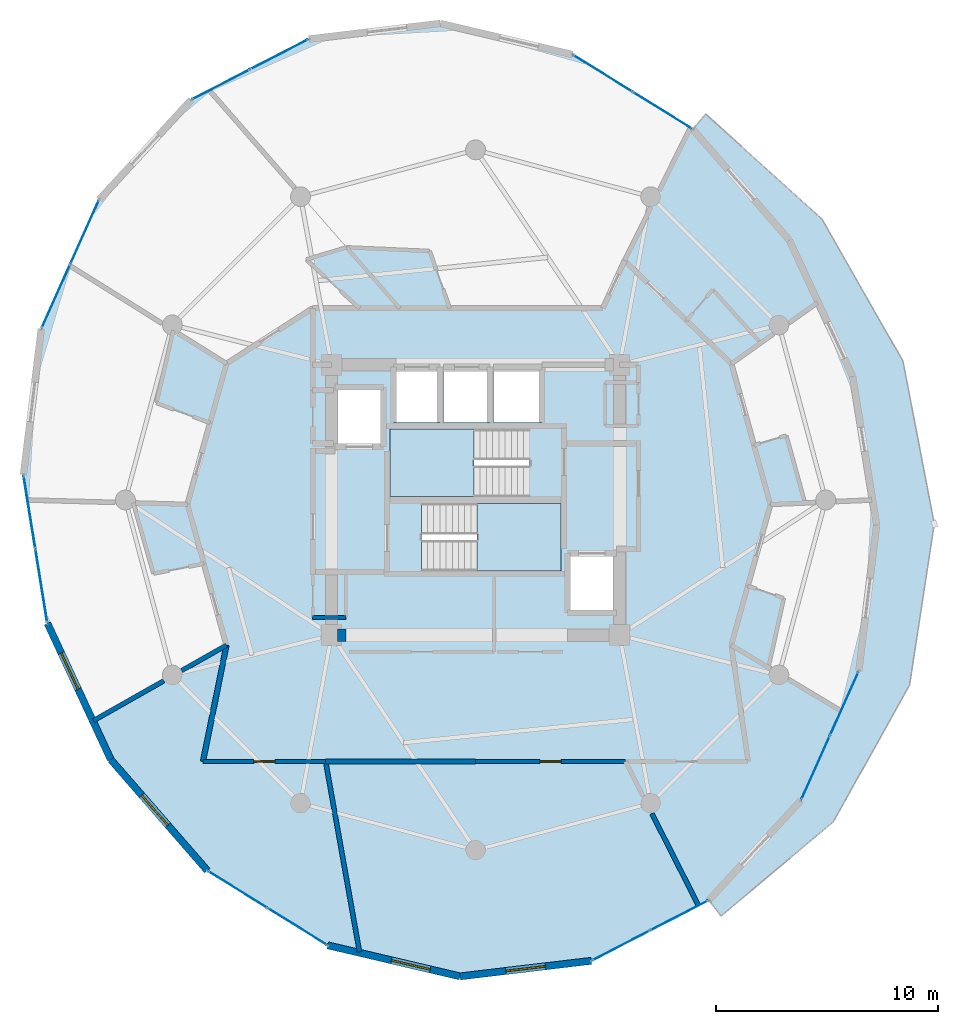
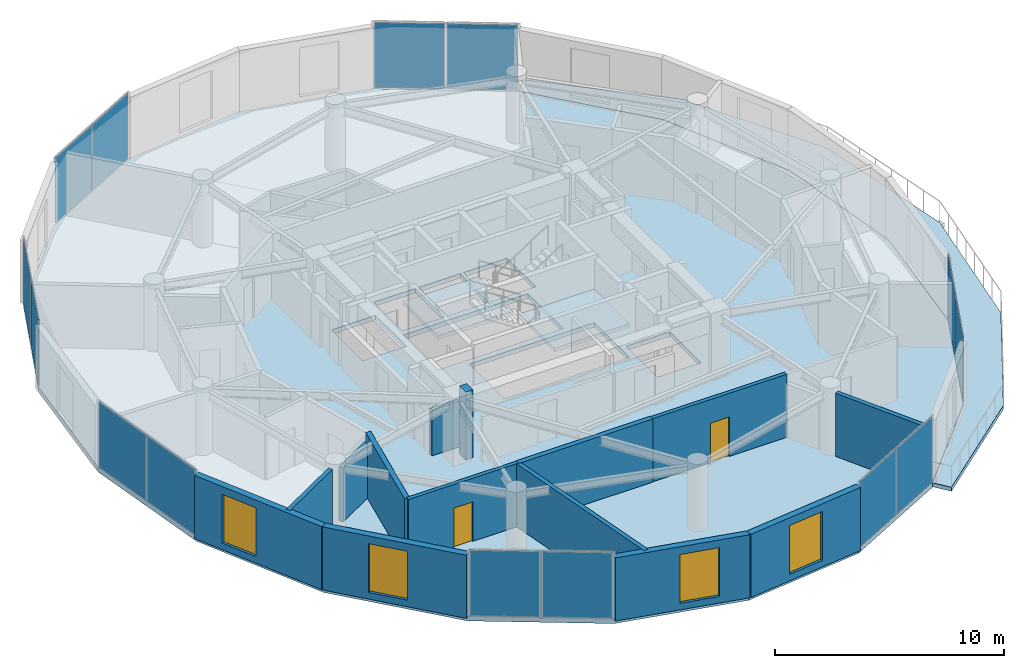
# One storey, part 16 of 22: 14 plates, 14 walls, 4 slabs, 4 windows, 2 doors, 6 openings, 9 elements without a shape of their own.
"""IFC4 building model written with IfcOpenShell, lengths in metres."""

from ifc_helpers import new_model, si_unit, direction, frame, frame_2d, origin, origin_2d, place, context, subcontext, project, spatial, polyline, rectangle, outline, extrude, source, transform, mapped, material, layer, layer_set, type_object, element, fill, aggregate, save


model = new_model("IFC4")

# Units and contexts
model_context = context("Model", 3, precision=1e-05, world=origin(), true_north=direction((0.0, 1.0)))
body_context = subcontext(model_context, "Body", "Model", "MODEL_VIEW")
ifc_project = project(units=[si_unit("LENGTHUNIT", "METRE"), si_unit("AREAUNIT", "SQUARE_METRE"), si_unit("VOLUMEUNIT", "CUBIC_METRE"), si_unit("PLANEANGLEUNIT", "RADIAN"), si_unit("MASSUNIT", "GRAM", prefix="KILO")], contexts=[model_context])

# Site, building, storey
site_placement = place(None, origin())
site = spatial("IfcSite", under=ifc_project, at=site_placement, CompositionType="ELEMENT")
building_placement = place(site_placement, origin())
building = spatial("IfcBuilding", under=site, at=building_placement, Name="Solvirekh Grand Hotel", CompositionType="ELEMENT")
storey_placement = place(building_placement, frame((0.0, 0.0, 227.199951171875)))
storey = spatial("IfcBuildingStorey", under=building, at=storey_placement, Name="L59", CompositionType="ELEMENT", Elevation=227.199951171875)

# Slab
ifc_material_1 = material(Name="Concrete C50/60", Category="concrete")
ifc_layer_1 = layer(ifc_material_1, 0.215087890625)
ifc_layer_set_1 = layer_set([ifc_layer_1], Name="Concrete C50/60")
slab_type_1 = type_object("IfcSlabType", Name="ExtCrescentBalc_215", PredefinedType="FLOOR", material=ifc_layer_set_1)
slab_1_placement = place(storey_placement, frame((0.0, 0.0, -0.21484375)))
element("IfcSlab", 1, at=slab_1_placement, inside=storey, type_object=slab_type_1, Name="L59 sweeping crescent balcony slab", PredefinedType="FLOOR", context=body_context, shape_type="SweptSolid", body=[
    extrude(outline(polyline([(11.072021484375, -18.77099609375), (16.14794921875, -14.510009765625), (19.580078125, -8.346923828125), (20.696044921875, -1.076904296875), (19.283935546875, 6.262939453125), (15.626953125, 12.672119140625), (10.385009765625, 17.410888671875), (9.800048828125, 16.72802734375), (14.156982421875, 11.720947265625), (17.01611328125, 5.568115234375), (18.095947265625, -1.131103515625), (17.29296875, -7.718994140625), (14.68408203125, -13.551025390625), (10.52490234375, -18.056884765625), (11.072021484375, -18.77099609375)])), origin(), (0.0, 0.0, 1.0), 0.21484375),
])

# Stair, slab
ifc_material_2 = material(Name="Concrete C40/50", Category="concrete")
stair_type = type_object("IfcStairType", Name="Stair_Core_1450", PredefinedType="HALF_TURN_STAIR", material=ifc_material_2)
stair_1_placement = place(storey_placement, origin())
stair_1 = element("IfcStair", 2, at=stair_1_placement, inside=storey, type_object=stair_type, Name="L59 Enclosed exit stair ST-1", PredefinedType="HALF_TURN_STAIR")
ifc_layer_2 = layer(ifc_material_2, 0.199951171875)
ifc_layer_set_2 = layer_set([ifc_layer_2], Name="Concrete C40/50")
slab_type_2 = type_object("IfcSlabType", Name="Landing_Stair_200", PredefinedType="LANDING", material=ifc_layer_set_2)
slab_2_placement = place(storey_placement, frame((0.0, 0.0, 1.60009765625)))
slab_2 = element("IfcSlab", 3, at=slab_2_placement, type_object=slab_type_2, Name="ST-1 landing 1", PredefinedType="LANDING", context=body_context, shape_type="SweptSolid", body=[
    extrude(outline(polyline([(0.070068359375, -3.199951171875), (3.85009765625, -3.199951171875), (3.85009765625, -0.14990234375), (0.070068359375, -0.14990234375), (0.070068359375, -3.199951171875)])), origin(), (0.0, 0.0, 1.0), 0.199951171875),
])
aggregate(stair_1, [slab_2])

stair_2_placement = place(storey_placement, origin())
stair_2 = element("IfcStair", 4, at=stair_2_placement, inside=storey, type_object=stair_type, Name="L59 Enclosed exit stair ST-2", PredefinedType="HALF_TURN_STAIR")
slab_3_placement = place(storey_placement, frame((0.0, 0.0, 1.60009765625)))
slab_3 = element("IfcSlab", 5, at=slab_3_placement, type_object=slab_type_2, Name="ST-2 landing 1", PredefinedType="LANDING", context=body_context, shape_type="SweptSolid", body=[
    extrude(outline(polyline([(-0.070068359375, 3.199951171875), (-3.85009765625, 3.199951171875), (-3.85009765625, 0.14990234375), (-0.070068359375, 0.14990234375), (-0.070068359375, 3.199951171875)])), origin(), (0.0, 0.0, 1.0), 0.199951171875),
])
aggregate(stair_2, [slab_3])

# Slab
ifc_layer_3 = layer(ifc_material_2, 0.239990234375)
ifc_layer_set_3 = layer_set([ifc_layer_3], Name="Concrete C40/50")
slab_type_3 = type_object("IfcSlabType", Name="Slab_GuestZ3_240", PredefinedType="FLOOR", material=ifc_layer_set_3)
slab_4_placement = place(storey_placement, frame((0.0, 0.0, -0.239990234375)))
element("IfcSlab", 6, at=slab_4_placement, inside=storey, type_object=slab_type_3, Name="L59 structural floor slab", PredefinedType="FLOOR", context=body_context, shape_type="SweptSolid", body=[
    extrude(outline(polyline([(5.22412109375, -20.794921875), (10.52490234375, -18.056884765625), (14.68408203125, -13.551025390625), (17.29296875, -7.718994140625), (18.095947265625, -1.131103515625), (17.01611328125, 5.568115234375), (14.156982421875, 11.720947265625), (9.800048828125, 16.72802734375), (4.37109375, 20.095947265625), (-1.597900390625, 21.498046875), (-7.52392578125, 20.794921875), (-12.824951171875, 18.056884765625), (-16.98388671875, 13.551025390625), (-19.593017578125, 7.718994140625), (-20.39599609375, 1.131103515625), (-19.31591796875, -5.568115234375), (-16.45703125, -11.720947265625), (-12.10009765625, -16.72802734375), (-6.6708984375, -20.095947265625), (-0.701904296875, -21.498046875), (5.22412109375, -20.794921875)]), holes=[polyline([(-2.444091796875, -0.14990234375), (3.85009765625, -0.14990234375), (3.85009765625, -3.199951171875), (-2.444091796875, -3.199951171875), (-2.444091796875, -0.14990234375)]), polyline([(2.444091796875, 0.14990234375), (-3.85009765625, 0.14990234375), (-3.85009765625, 3.199951171875), (2.444091796875, 3.199951171875), (2.444091796875, 0.14990234375)]), polyline([(-3.699951171875, 6.0), (-1.60009765625, 6.0), (-1.60009765625, 3.5), (-3.699951171875, 3.5), (-3.699951171875, 6.0)]), polyline([(-1.449951171875, 6.0), (0.64990234375, 6.0), (0.64990234375, 3.5), (-1.449951171875, 3.5), (-1.449951171875, 6.0)]), polyline([(0.800048828125, 6.0), (3.0, 6.0), (3.0, 3.5), (0.800048828125, 3.5), (0.800048828125, 6.0)]), polyline([(-6.35009765625, 5.10009765625), (-4.14990234375, 5.10009765625), (-4.14990234375, 2.39990234375), (-6.35009765625, 2.39990234375), (-6.35009765625, 5.10009765625)]), polyline([(4.14990234375, -2.39990234375), (6.35009765625, -2.39990234375), (6.35009765625, -5.10009765625), (4.14990234375, -5.10009765625), (4.14990234375, -2.39990234375)])]), origin(), (0.0, 0.0, 1.0), 0.239990234375),
])

# Curtain wall, plates
ifc_material_3 = material(Name="Anodized Bronze Aluminium 6063-T6", Category="aluminium")
ifc_layer_4 = layer(ifc_material_3, 0.159912109375)
ifc_layer_set_4 = layer_set([ifc_layer_4], Name="Anodized Bronze Aluminium 6063-T6")
curtain_wall_type = type_object("IfcCurtainWallType", Name="CW_Sys4_HighZoneFlushBronzeCW", PredefinedType="NOTDEFINED", material=ifc_layer_set_4)
curtain_wall_1_placement = place(storey_placement, origin())
curtain_wall_1 = element("IfcCurtainWall", 7, at=curtain_wall_1_placement, inside=storey, type_object=curtain_wall_type, Name="L59 unitised bronze-glass curtain wall CW-L59-C03", PredefinedType="NOTDEFINED")
ifc_material_4 = material(Name="Low-E Tinted Bronze Laminated Glass", Category="aluminium")
ifc_layer_5 = layer(ifc_material_4, 0.033935546875)
ifc_layer_set_5 = layer_set([ifc_layer_5], Name="Low-E Tinted Bronze Laminated Glass")
plate_type = type_object("IfcPlateType", Name="CWPanel_High_34", PredefinedType="CURTAIN_PANEL", material=ifc_layer_set_5)
shared_shape_1 = source(origin(), body_context, "Body", "SweptSolid", [
    extrude(rectangle(XDim=3.1044921875, YDim=0.033935546875, at=origin_2d()), origin(), (0.0, 0.0, 1.0), 3.489990234375),
])
plate_1_placement = place(storey_placement, frame((15.34228515625, -12.079345703125, 0.05517578125), z_axis=(0.0, 0.0, 1.0), x_axis=(0.408359195958, 0.912821322646, 0.0)))
plate_1 = element("IfcPlate", 8, at=plate_1_placement, type_object=plate_type, Name="U04 panel 1.1", PredefinedType="CURTAIN_PANEL", context=body_context, shape_type="MappedRepresentation", body=[
    mapped(shared_shape_1, transform((0.0, 0.0, 0.0), x_axis=(1.0, 0.0, 0.0), y_axis=(0.0, 1.0, 0.0), z_axis=(0.0, 0.0, 1.0), scale=1.0)),
])
plate_2_placement = place(storey_placement, frame((16.634521484375, -9.190673828125, 0.05517578125), z_axis=(0.0, 0.0, 1.0), x_axis=(0.408359195958, 0.912821322646, 0.0)))
plate_2 = element("IfcPlate", 9, at=plate_2_placement, type_object=plate_type, Name="U04 panel 2.1", PredefinedType="CURTAIN_PANEL", context=body_context, shape_type="MappedRepresentation", body=[
    mapped(shared_shape_1, transform((0.0, 0.0, 0.0), x_axis=(1.0, 0.0, 0.0), y_axis=(0.0, 1.0, 0.0), z_axis=(0.0, 0.0, 1.0), scale=1.0)),
])
aggregate(curtain_wall_1, [plate_1, plate_2])

curtain_wall_2_placement = place(storey_placement, origin())
curtain_wall_2 = element("IfcCurtainWall", 10, at=curtain_wall_2_placement, inside=storey, type_object=curtain_wall_type, Name="L59 unitised bronze-glass curtain wall CW-L59-C08", PredefinedType="NOTDEFINED")
plate_3_placement = place(storey_placement, frame((8.429931640625, 17.577880859375, 0.05517578125), z_axis=(0.0, 0.0, 1.0), x_axis=(-0.849761062593, 0.527168034407, 0.0)))
plate_3 = element("IfcPlate", 11, at=plate_3_placement, type_object=plate_type, Name="U04 panel 1.1", PredefinedType="CURTAIN_PANEL", context=body_context, shape_type="MappedRepresentation", body=[
    mapped(shared_shape_1, transform((0.0, 0.0, 0.0), x_axis=(1.0, 0.0, 0.0), y_axis=(0.0, 1.0, 0.0), z_axis=(0.0, 0.0, 1.0), scale=1.0)),
])
plate_4_placement = place(storey_placement, frame((5.740966796875, 19.24609375, 0.05517578125), z_axis=(0.0, 0.0, 1.0), x_axis=(-0.849761062593, 0.527168034407, 0.0)))
plate_4 = element("IfcPlate", 12, at=plate_4_placement, type_object=plate_type, Name="U04 panel 2.1", PredefinedType="CURTAIN_PANEL", context=body_context, shape_type="MappedRepresentation", body=[
    mapped(shared_shape_1, transform((0.0, 0.0, 0.0), x_axis=(1.0, 0.0, 0.0), y_axis=(0.0, 1.0, 0.0), z_axis=(0.0, 0.0, 1.0), scale=1.0)),
])
aggregate(curtain_wall_2, [plate_3, plate_4])

curtain_wall_3_placement = place(storey_placement, origin())
curtain_wall_3 = element("IfcCurtainWall", 13, at=curtain_wall_3_placement, inside=storey, type_object=curtain_wall_type, Name="L59 unitised bronze-glass curtain wall CW-L59-C13", PredefinedType="NOTDEFINED")
plate_5_placement = place(storey_placement, frame((-17.642333984375, 12.079345703125, 0.05517578125), z_axis=(0.0, 0.0, 1.0), x_axis=(-0.408359195958, -0.912821322646, 0.0)))
plate_5 = element("IfcPlate", 14, at=plate_5_placement, type_object=plate_type, Name="U04 panel 1.1", PredefinedType="CURTAIN_PANEL", context=body_context, shape_type="MappedRepresentation", body=[
    mapped(shared_shape_1, transform((0.0, 0.0, 0.0), x_axis=(1.0, 0.0, 0.0), y_axis=(0.0, 1.0, 0.0), z_axis=(0.0, 0.0, 1.0), scale=1.0)),
])
plate_6_placement = place(storey_placement, frame((-18.9345703125, 9.190673828125, 0.05517578125), z_axis=(0.0, 0.0, 1.0), x_axis=(-0.408359195958, -0.912821322646, 0.0)))
plate_6 = element("IfcPlate", 15, at=plate_6_placement, type_object=plate_type, Name="U04 panel 2.1", PredefinedType="CURTAIN_PANEL", context=body_context, shape_type="MappedRepresentation", body=[
    mapped(shared_shape_1, transform((0.0, 0.0, 0.0), x_axis=(1.0, 0.0, 0.0), y_axis=(0.0, 1.0, 0.0), z_axis=(0.0, 0.0, 1.0), scale=1.0)),
])
aggregate(curtain_wall_3, [plate_5, plate_6])

curtain_wall_4_placement = place(storey_placement, origin())
curtain_wall_4 = element("IfcCurtainWall", 16, at=curtain_wall_4_placement, inside=storey, type_object=curtain_wall_type, Name="L59 unitised bronze-glass curtain wall CW-L59-C18", PredefinedType="NOTDEFINED")
plate_7_placement = place(storey_placement, frame((-10.72998046875, -17.577880859375, 0.05517578125), z_axis=(0.0, 0.0, 1.0), x_axis=(0.849761062593, -0.527168034407, 0.0)))
plate_7 = element("IfcPlate", 17, at=plate_7_placement, type_object=plate_type, Name="U04 panel 1.1", PredefinedType="CURTAIN_PANEL", context=body_context, shape_type="MappedRepresentation", body=[
    mapped(shared_shape_1, transform((0.0, 0.0, 0.0), x_axis=(1.0, 0.0, 0.0), y_axis=(0.0, 1.0, 0.0), z_axis=(0.0, 0.0, 1.0), scale=1.0)),
])
plate_8_placement = place(storey_placement, frame((-8.041015625, -19.24609375, 0.05517578125), z_axis=(0.0, 0.0, 1.0), x_axis=(0.849761062593, -0.527168034407, 0.0)))
plate_8 = element("IfcPlate", 18, at=plate_8_placement, type_object=plate_type, Name="U04 panel 2.1", PredefinedType="CURTAIN_PANEL", context=body_context, shape_type="MappedRepresentation", body=[
    mapped(shared_shape_1, transform((0.0, 0.0, 0.0), x_axis=(1.0, 0.0, 0.0), y_axis=(0.0, 1.0, 0.0), z_axis=(0.0, 0.0, 1.0), scale=1.0)),
])
aggregate(curtain_wall_4, [plate_7, plate_8])

curtain_wall_5_placement = place(storey_placement, origin())
curtain_wall_5 = element("IfcCurtainWall", 19, at=curtain_wall_5_placement, inside=storey, type_object=curtain_wall_type, Name="L59 unitised bronze-glass curtain wall CW-L59-C15", PredefinedType="NOTDEFINED")
shared_shape_2 = source(origin(), body_context, "Body", "SweptSolid", [
    extrude(rectangle(XDim=3.302734375, YDim=0.033935546875, at=origin_2d()), origin(), (0.0, 0.0, 1.0), 3.489990234375),
])
plate_9_placement = place(storey_placement, frame((-20.12353515625, -0.55859375, 0.05517578125), z_axis=(0.0, 0.0, 1.0), x_axis=(0.159162936916, -0.987252328188, 0.0)))
plate_9 = element("IfcPlate", 20, at=plate_9_placement, type_object=plate_type, Name="U04 panel 1.1", PredefinedType="CURTAIN_PANEL", context=body_context, shape_type="MappedRepresentation", body=[
    mapped(shared_shape_2, transform((0.0, 0.0, 0.0), x_axis=(1.0, 0.0, 0.0), y_axis=(0.0, 1.0, 0.0), z_axis=(0.0, 0.0, 1.0), scale=1.0)),
])
plate_10_placement = place(storey_placement, frame((-19.58837890625, -3.87841796875, 0.05517578125), z_axis=(0.0, 0.0, 1.0), x_axis=(0.159162936916, -0.987252328188, 0.0)))
plate_10 = element("IfcPlate", 21, at=plate_10_placement, type_object=plate_type, Name="U04 panel 2.1", PredefinedType="CURTAIN_PANEL", context=body_context, shape_type="MappedRepresentation", body=[
    mapped(shared_shape_2, transform((0.0, 0.0, 0.0), x_axis=(1.0, 0.0, 0.0), y_axis=(0.0, 1.0, 0.0), z_axis=(0.0, 0.0, 1.0), scale=1.0)),
])
aggregate(curtain_wall_5, [plate_9, plate_10])

curtain_wall_6_placement = place(storey_placement, origin())
curtain_wall_6 = element("IfcCurtainWall", 22, at=curtain_wall_6_placement, inside=storey, type_object=curtain_wall_type, Name="L59 unitised bronze-glass curtain wall CW-L59-C01", PredefinedType="NOTDEFINED")
shared_shape_3 = source(origin(), body_context, "Body", "SweptSolid", [
    extrude(rectangle(XDim=2.89306640625, YDim=0.033935546875, at=origin_2d()), origin(), (0.0, 0.0, 1.0), 3.489990234375),
])
plate_11_placement = place(storey_placement, frame((6.5625, -20.103515625, 0.05517578125), z_axis=(0.0, 0.0, 1.0), x_axis=(0.888483998065, 0.45890759983, 0.0)))
plate_11 = element("IfcPlate", 23, at=plate_11_placement, type_object=plate_type, Name="U04 panel 1.1", PredefinedType="CURTAIN_PANEL", context=body_context, shape_type="MappedRepresentation", body=[
    mapped(shared_shape_3, transform((0.0, 0.0, 0.0), x_axis=(1.0, 0.0, 0.0), y_axis=(0.0, 1.0, 0.0), z_axis=(0.0, 0.0, 1.0), scale=1.0)),
])
plate_12_placement = place(storey_placement, frame((9.1865234375, -18.748291015625, 0.05517578125), z_axis=(0.0, 0.0, 1.0), x_axis=(0.888483998065, 0.45890759983, 0.0)))
plate_12 = element("IfcPlate", 24, at=plate_12_placement, type_object=plate_type, Name="U04 panel 2.1", PredefinedType="CURTAIN_PANEL", context=body_context, shape_type="MappedRepresentation", body=[
    mapped(shared_shape_3, transform((0.0, 0.0, 0.0), x_axis=(1.0, 0.0, 0.0), y_axis=(0.0, 1.0, 0.0), z_axis=(0.0, 0.0, 1.0), scale=1.0)),
])
aggregate(curtain_wall_6, [plate_11, plate_12])

curtain_wall_7_placement = place(storey_placement, origin())
curtain_wall_7 = element("IfcCurtainWall", 25, at=curtain_wall_7_placement, inside=storey, type_object=curtain_wall_type, Name="L59 unitised bronze-glass curtain wall CW-L59-C11", PredefinedType="NOTDEFINED")
plate_13_placement = place(storey_placement, frame((-8.862548828125, 20.103515625, 0.05517578125), z_axis=(0.0, 0.0, 1.0), x_axis=(-0.888483998065, -0.45890759983, 0.0)))
plate_13 = element("IfcPlate", 26, at=plate_13_placement, type_object=plate_type, Name="U04 panel 1.1", PredefinedType="CURTAIN_PANEL", context=body_context, shape_type="MappedRepresentation", body=[
    mapped(shared_shape_3, transform((0.0, 0.0, 0.0), x_axis=(1.0, 0.0, 0.0), y_axis=(0.0, 1.0, 0.0), z_axis=(0.0, 0.0, 1.0), scale=1.0)),
])
plate_14_placement = place(storey_placement, frame((-11.486328125, 18.748291015625, 0.05517578125), z_axis=(0.0, 0.0, 1.0), x_axis=(-0.888483998065, -0.45890759983, 0.0)))
plate_14 = element("IfcPlate", 27, at=plate_14_placement, type_object=plate_type, Name="U04 panel 2.1", PredefinedType="CURTAIN_PANEL", context=body_context, shape_type="MappedRepresentation", body=[
    mapped(shared_shape_3, transform((0.0, 0.0, 0.0), x_axis=(1.0, 0.0, 0.0), y_axis=(0.0, 1.0, 0.0), z_axis=(0.0, 0.0, 1.0), scale=1.0)),
])
aggregate(curtain_wall_7, [plate_13, plate_14])

# Wall
ifc_layer_6 = layer(ifc_material_1, 0.550048828125)
ifc_layer_set_6 = layer_set([ifc_layer_6], Name="Concrete C50/60")
wall_type_1 = type_object("IfcWallType", Name="CoreWall_RC550", PredefinedType="SHEAR", material=ifc_layer_set_6)
wall_1_placement = place(storey_placement, frame((-6.22509765625, -6.10009765625, 0.0), z_axis=(0.0, 0.0, 1.0), x_axis=(1.0, 0.0, 0.0)))
element("IfcWall", 28, at=wall_1_placement, inside=storey, type_object=wall_type_1, Name="L59 core corner shear wall SW-S", PredefinedType="SHEAR", context=body_context, shape_type="SweptSolid", body=[
    extrude(rectangle(XDim=0.375, YDim=0.550048828125, at=frame_2d((0.1875, 0.0))), origin(), (0.0, 0.0, 1.0), 3.60009765625),
])

# Wall, opening, window
ifc_material_5 = material(Name="Precast concrete C45/55", Category="concrete")
ifc_layer_7 = layer(ifc_material_5, 0.320068359375)
ifc_layer_set_7 = layer_set([ifc_layer_7], Name="Precast concrete C45/55")
wall_type_2 = type_object("IfcWallType", Name="ExtLobbyWall_RC320", PredefinedType="SOLIDWALL", material=ifc_layer_set_7)
wall_2_placement = place(storey_placement, frame((-16.45703125, -11.720947265625, 0.0), z_axis=(0.0, 0.0, 1.0), x_axis=(-0.421379832148, 0.906884246781, 0.0)))
wall_2 = element("IfcWall", 29, at=wall_2_placement, inside=storey, type_object=wall_type_2, Name="L59 exterior structural wall chord 16", PredefinedType="SOLIDWALL", context=body_context, shape_type="SweptSolid", body=[
    extrude(rectangle(XDim=6.78466796875, YDim=0.320068359375, at=frame_2d((3.392333984375, 0.0))), origin(), (0.0, 0.0, 1.0), 3.360107421875),
])
opening_1_placement = place(wall_2_placement, frame((3.509033203125, 0.0, 0.35009765625)))
opening_1 = element("IfcOpeningElement", 30, at=opening_1_placement, cuts=wall_2, Name="Opening W02", PredefinedType="OPENING", context=body_context, shape_type="SweptSolid", body=[
    extrude(rectangle(XDim=1.800048828125, YDim=2.60009765625, at=frame_2d((0.89990234375, 1.300048828125))), frame((0.0, 0.169921875, 0.0), z_axis=(0.0, -1.0, 0.0), x_axis=(1.0, 0.0, 0.0)), (0.0, 0.0, 1.0), 0.340087890625),
])
window_type = type_object("IfcWindowType", Name="Win_LobbyExt_1800X2600", PartitioningType="SINGLE_PANEL", PredefinedType="WINDOW", material=ifc_material_4)
window_1_placement = place(opening_1_placement, origin())
window_1 = element("IfcWindow", 31, at=window_1_placement, inside=storey, type_object=window_type, Name="L59 panoramic bronze-framed window 16", OverallHeight=2.60009765625, OverallWidth=1.800048828125, PartitioningType="SINGLE_PANEL", PredefinedType="WINDOW", context=body_context, shape_type="SweptSolid", body=[
    extrude(rectangle(XDim=1.800048828125, YDim=2.60009765625, at=frame_2d((0.89990234375, 1.300048828125))), frame((0.0, 0.030029296875, 0.0), z_axis=(0.0, -1.0, 0.0), x_axis=(1.0, 0.0, 0.0)), (0.0, 0.0, 1.0), 0.06005859375),
])
fill(opening_1, window_1)

wall_3_placement = place(storey_placement, frame((-12.10009765625, -16.72802734375, 0.0), z_axis=(0.0, 0.0, 1.0), x_axis=(-0.656431844165, 0.754385335201, 0.0)))
wall_3 = element("IfcWall", 32, at=wall_3_placement, inside=storey, type_object=wall_type_2, Name="L59 exterior structural wall chord 17", PredefinedType="SOLIDWALL", context=body_context, shape_type="SweptSolid", body=[
    extrude(rectangle(XDim=6.63720703125, YDim=0.320068359375, at=frame_2d((3.318603515625, 0.0))), origin(), (0.0, 0.0, 1.0), 3.360107421875),
])
opening_2_placement = place(wall_3_placement, frame((2.716064453125, 0.0, 0.35009765625)))
opening_2 = element("IfcOpeningElement", 33, at=opening_2_placement, cuts=wall_3, Name="Opening W02", PredefinedType="OPENING", context=body_context, shape_type="SweptSolid", body=[
    extrude(rectangle(XDim=1.800048828125, YDim=2.60009765625, at=frame_2d((0.89990234375, 1.300048828125))), frame((0.0, 0.169921875, 0.0), z_axis=(0.0, -1.0, 0.0), x_axis=(1.0, 0.0, 0.0)), (0.0, 0.0, 1.0), 0.340087890625),
])
window_2_placement = place(opening_2_placement, origin())
window_2 = element("IfcWindow", 34, at=window_2_placement, inside=storey, type_object=window_type, Name="L59 panoramic bronze-framed window 17", OverallHeight=2.60009765625, OverallWidth=1.800048828125, PartitioningType="SINGLE_PANEL", PredefinedType="WINDOW", context=body_context, shape_type="SweptSolid", body=[
    extrude(rectangle(XDim=1.800048828125, YDim=2.60009765625, at=frame_2d((0.89990234375, 1.300048828125))), frame((0.0, 0.030029296875, 0.0), z_axis=(0.0, -1.0, 0.0), x_axis=(1.0, 0.0, 0.0)), (0.0, 0.0, 1.0), 0.06005859375),
])
fill(opening_2, window_2)

wall_4_placement = place(storey_placement, frame((-0.701904296875, -21.498046875, 0.0), z_axis=(0.0, 0.0, 1.0), x_axis=(-0.973503262374, 0.22867312511, 0.0)))
wall_4 = element("IfcWall", 35, at=wall_4_placement, inside=storey, type_object=wall_type_2, Name="L59 exterior structural wall chord 19", PredefinedType="SOLIDWALL", context=body_context, shape_type="SweptSolid", body=[
    extrude(rectangle(XDim=6.13134765625, YDim=0.320068359375, at=frame_2d((3.065673828125, 0.0))), origin(), (0.0, 0.0, 1.0), 3.360107421875),
])
opening_3_placement = place(wall_4_placement, frame((1.383056640625, 0.0, 0.35009765625)))
opening_3 = element("IfcOpeningElement", 36, at=opening_3_placement, cuts=wall_4, Name="Opening W02", PredefinedType="OPENING", context=body_context, shape_type="SweptSolid", body=[
    extrude(rectangle(XDim=1.800048828125, YDim=2.60009765625, at=frame_2d((0.89990234375, 1.300048828125))), frame((0.0, 0.169921875, 0.0), z_axis=(0.0, -1.0, 0.0), x_axis=(1.0, 0.0, 0.0)), (0.0, 0.0, 1.0), 0.340087890625),
])
window_3_placement = place(opening_3_placement, origin())
window_3 = element("IfcWindow", 37, at=window_3_placement, inside=storey, type_object=window_type, Name="L59 panoramic bronze-framed window 19", OverallHeight=2.60009765625, OverallWidth=1.800048828125, PartitioningType="SINGLE_PANEL", PredefinedType="WINDOW", context=body_context, shape_type="SweptSolid", body=[
    extrude(rectangle(XDim=1.800048828125, YDim=2.60009765625, at=frame_2d((0.89990234375, 1.300048828125))), frame((0.0, 0.030029296875, 0.0), z_axis=(0.0, -1.0, 0.0), x_axis=(1.0, 0.0, 0.0)), (0.0, 0.0, 1.0), 0.06005859375),
])
fill(opening_3, window_3)

wall_5_placement = place(storey_placement, frame((5.22412109375, -20.794921875, 0.0), z_axis=(0.0, 0.0, 1.0), x_axis=(-0.993034505957, -0.117823893921, 0.0)))
wall_5 = element("IfcWall", 38, at=wall_5_placement, inside=storey, type_object=wall_type_2, Name="L59 exterior structural wall chord 20", PredefinedType="SOLIDWALL", context=body_context, shape_type="SweptSolid", body=[
    extrude(rectangle(XDim=5.967529296875, YDim=0.320068359375, at=frame_2d((2.98388671875, 0.0))), origin(), (0.0, 0.0, 1.0), 3.360107421875),
])
opening_4_placement = place(wall_5_placement, frame((2.083984375, 0.0, 0.35009765625)))
opening_4 = element("IfcOpeningElement", 39, at=opening_4_placement, cuts=wall_5, Name="Opening W02", PredefinedType="OPENING", context=body_context, shape_type="SweptSolid", body=[
    extrude(rectangle(XDim=1.800048828125, YDim=2.60009765625, at=frame_2d((0.89990234375, 1.300048828125))), frame((0.0, 0.169921875, 0.0), z_axis=(0.0, -1.0, 0.0), x_axis=(1.0, 0.0, 0.0)), (0.0, 0.0, 1.0), 0.340087890625),
])
window_4_placement = place(opening_4_placement, origin())
window_4 = element("IfcWindow", 40, at=window_4_placement, inside=storey, type_object=window_type, Name="L59 panoramic bronze-framed window 20", OverallHeight=2.60009765625, OverallWidth=1.800048828125, PartitioningType="SINGLE_PANEL", PredefinedType="WINDOW", context=body_context, shape_type="SweptSolid", body=[
    extrude(rectangle(XDim=1.800048828125, YDim=2.60009765625, at=frame_2d((0.89990234375, 1.300048828125))), frame((0.0, 0.030029296875, 0.0), z_axis=(0.0, -1.0, 0.0), x_axis=(1.0, 0.0, 0.0)), (0.0, 0.0, 1.0), 0.06005859375),
])
fill(opening_4, window_4)

# Walls
ifc_material_6 = material(Name="Acoustic Gypsum Partition Assembly")
ifc_layer_8 = layer(ifc_material_6, 0.1650390625)
ifc_layer_set_8 = layer_set([ifc_layer_8], Name="Acoustic Gypsum Partition Assembly")
wall_type_3 = type_object("IfcWallType", Name="Part_BOH_165", PredefinedType="PARTITIONING", material=ifc_layer_set_8)
wall_6_placement = place(storey_placement, frame((-7.35009765625, -5.300048828125, 0.0), z_axis=(0.0, 0.0, 1.0), x_axis=(1.0, 0.0, 0.0)))
element("IfcWall", 41, at=wall_6_placement, inside=storey, type_object=wall_type_3, Name="L59 L59 Butler Service Closet wall 1", PredefinedType="PARTITIONING", context=body_context, shape_type="SweptSolid", body=[
    extrude(rectangle(XDim=1.5, YDim=0.1650390625, at=frame_2d((0.75, 0.0))), origin(), (0.0, 0.0, 1.0), 2.445068359375),
])
ifc_layer_9 = layer(ifc_material_6, 0.239990234375)
ifc_layer_set_9 = layer_set([ifc_layer_9], Name="Acoustic Gypsum Partition Assembly")
wall_type_4 = type_object("IfcWallType", Name="Part_Corridor_240", PredefinedType="PARTITIONING", material=ifc_layer_set_9)
wall_7_placement = place(storey_placement, frame((-11.238037109375, -6.550048828125, 0.0), z_axis=(0.0, 0.0, 1.0), x_axis=(-0.198271934001, -0.980147050288, 0.0)))
element("IfcWall", 42, at=wall_7_placement, inside=storey, type_object=wall_type_4, Name="L59 L59 Observatory Reading Lounge corridor wall 1", PredefinedType="PARTITIONING", context=body_context, shape_type="SweptSolid", body=[
    extrude(rectangle(XDim=5.3564453125, YDim=0.239990234375, at=frame_2d((2.67822265625, 0.0))), origin(), (0.0, 0.0, 1.0), 3.360107421875),
])
wall_8_placement = place(storey_placement, frame((-6.764892578125, -11.800048828125, 0.0), z_axis=(0.0, 0.0, 1.0), x_axis=(1.0, 0.0, 0.0)))
element("IfcWall", 43, at=wall_8_placement, inside=storey, type_object=wall_type_4, Name="L59 L59 Riverfront Reading Lounge corridor wall 1", PredefinedType="PARTITIONING", context=body_context, shape_type="SweptSolid", body=[
    extrude(rectangle(XDim=6.764892578125, YDim=0.239990234375, at=frame_2d((3.38232421875, 0.0))), origin(), (0.0, 0.0, 1.0), 3.360107421875),
])

# Wall, opening, door
ifc_layer_10 = layer(ifc_material_6, 0.18994140625)
ifc_layer_set_10 = layer_set([ifc_layer_10], Name="Acoustic Gypsum Partition Assembly")
wall_type_5 = type_object("IfcWallType", Name="Part_GuestDemise_190", PredefinedType="PARTITIONING", material=ifc_layer_set_10)
wall_9_placement = place(storey_placement, frame((-12.300048828125, -11.800048828125, 0.0), z_axis=(0.0, 0.0, 1.0), x_axis=(1.0, 0.0, 0.0)))
wall_9 = element("IfcWall", 44, at=wall_9_placement, inside=storey, type_object=wall_type_5, Name="L59 L59 Observatory Reading Lounge entrance wall", PredefinedType="PARTITIONING", context=body_context, shape_type="SweptSolid", body=[
    extrude(rectangle(XDim=5.53515625, YDim=0.18994140625, at=frame_2d((2.767578125, 0.0))), origin(), (0.0, 0.0, 1.0), 3.360107421875),
])
opening_5_placement = place(wall_9_placement, frame((2.29296875, 0.0, 0.0)))
opening_5 = element("IfcOpeningElement", 45, at=opening_5_placement, cuts=wall_9, Name="Opening D10", PredefinedType="OPENING", context=body_context, shape_type="SweptSolid", body=[
    extrude(rectangle(XDim=0.949951171875, YDim=2.10009765625, at=frame_2d((0.47509765625, 1.050048828125))), frame((0.0, 0.10498046875, 0.0), z_axis=(0.0, -1.0, 0.0), x_axis=(1.0, 0.0, 0.0)), (0.0, 0.0, 1.0), 0.2099609375),
])
door_type = type_object("IfcDoorType", Name="Door_RoomInt_950X2100", OperationType="NOTDEFINED", PredefinedType="DOOR", material=ifc_material_3)
door_1_placement = place(opening_5_placement, origin())
door_1 = element("IfcDoor", 46, at=door_1_placement, inside=storey, type_object=door_type, Name="L59 L59 Observatory Reading Lounge entrance door", OperationType="SINGLE_SWING_LEFT", OverallHeight=2.10009765625, OverallWidth=0.949951171875, PredefinedType="DOOR", context=body_context, shape_type="SweptSolid", body=[
    extrude(rectangle(XDim=0.949951171875, YDim=2.10009765625, at=frame_2d((0.47509765625, 1.050048828125))), frame((0.0, 0.02490234375, 0.0), z_axis=(0.0, -1.0, 0.0), x_axis=(1.0, 0.0, 0.0)), (0.0, 0.0, 1.0), 0.050048828125),
])
fill(opening_5, door_1)

wall_10_placement = place(storey_placement, frame((0.0, -11.800048828125, 0.0), z_axis=(0.0, 0.0, 1.0), x_axis=(1.0, 0.0, 0.0)))
wall_10 = element("IfcWall", 47, at=wall_10_placement, inside=storey, type_object=wall_type_5, Name="L59 L59 Riverfront Reading Lounge entrance wall", PredefinedType="PARTITIONING", context=body_context, shape_type="SweptSolid", body=[
    extrude(rectangle(XDim=6.764892578125, YDim=0.18994140625, at=frame_2d((3.38232421875, 0.0))), origin(), (0.0, 0.0, 1.0), 3.360107421875),
])
opening_6_placement = place(wall_10_placement, frame((2.906982421875, 0.0, 0.0)))
opening_6 = element("IfcOpeningElement", 48, at=opening_6_placement, cuts=wall_10, Name="Opening D10", PredefinedType="OPENING", context=body_context, shape_type="SweptSolid", body=[
    extrude(rectangle(XDim=0.949951171875, YDim=2.10009765625, at=frame_2d((0.47509765625, 1.050048828125))), frame((0.0, 0.10498046875, 0.0), z_axis=(0.0, -1.0, 0.0), x_axis=(1.0, 0.0, 0.0)), (0.0, 0.0, 1.0), 0.2099609375),
])
door_2_placement = place(opening_6_placement, origin())
door_2 = element("IfcDoor", 49, at=door_2_placement, inside=storey, type_object=door_type, Name="L59 L59 Riverfront Reading Lounge entrance door", OperationType="SINGLE_SWING_RIGHT", OverallHeight=2.10009765625, OverallWidth=0.949951171875, PredefinedType="DOOR", context=body_context, shape_type="SweptSolid", body=[
    extrude(rectangle(XDim=0.949951171875, YDim=2.10009765625, at=frame_2d((0.47509765625, 1.050048828125))), frame((0.0, 0.02490234375, 0.0), z_axis=(0.0, -1.0, 0.0), x_axis=(1.0, 0.0, 0.0)), (0.0, 0.0, 1.0), 0.050048828125),
])
fill(opening_6, door_2)

# Walls
ifc_layer_11 = layer(ifc_material_6, 0.2099609375)
ifc_layer_set_11 = layer_set([ifc_layer_11], Name="Acoustic Gypsum Partition Assembly")
wall_type_6 = type_object("IfcWallType", Name="Part_SuiteDemise_210", PredefinedType="PARTITIONING", material=ifc_layer_set_11)
wall_11_placement = place(storey_placement, frame((-11.238037109375, -6.550048828125, 0.0), z_axis=(0.0, 0.0, 1.0), x_axis=(-0.869880919388, -0.493261782509, 0.0)))
element("IfcWall", 50, at=wall_11_placement, inside=storey, type_object=wall_type_6, Name="L59 suite radial wall 8 (A)", PredefinedType="PARTITIONING", context=body_context, shape_type="SweptSolid", body=[
    extrude(rectangle(XDim=2.3232421875, YDim=0.2099609375, at=frame_2d((1.16162109375, 0.0))), origin(), (0.0, 0.0, 1.0), 2.8759765625),
])
wall_12_placement = place(storey_placement, frame((-14.074951171875, -8.158935546875, 0.0), z_axis=(0.0, 0.0, 1.0), x_axis=(-0.869941481597, -0.493154964081, 0.0)))
element("IfcWall", 51, at=wall_12_placement, inside=storey, type_object=wall_type_6, Name="L59 suite radial wall 8 (B)", PredefinedType="PARTITIONING", context=body_context, shape_type="SweptSolid", body=[
    extrude(rectangle(XDim=3.6337890625, YDim=0.2099609375, at=frame_2d((1.81689453125, 0.0))), origin(), (0.0, 0.0, 1.0), 3.360107421875),
])
wall_13_placement = place(storey_placement, frame((-6.764892578125, -11.800048828125, 0.0), z_axis=(0.0, 0.0, 1.0), x_axis=(0.17518157927, -0.984536141685, 0.0)))
element("IfcWall", 52, at=wall_13_placement, inside=storey, type_object=wall_type_6, Name="L59 L59 Observatory Reading Lounge dividing partition 1", PredefinedType="PARTITIONING", context=body_context, shape_type="SweptSolid", body=[
    extrude(rectangle(XDim=8.72705078125, YDim=0.2099609375, at=frame_2d((4.363525390625, 0.0))), origin(), (0.0, 0.0, 1.0), 3.360107421875),
])
wall_14_placement = place(storey_placement, frame((7.9560546875, -14.14990234375, 0.0), z_axis=(0.0, 0.0, 1.0), x_axis=(0.451972657996, -0.892031791151, 0.0)))
element("IfcWall", 53, at=wall_14_placement, inside=storey, type_object=wall_type_6, Name="L59 L59 Riverfront Reading Lounge dividing partition 1 (B)", PredefinedType="PARTITIONING", context=body_context, shape_type="SweptSolid", body=[
    extrude(rectangle(XDim=4.61083984375, YDim=0.2099609375, at=frame_2d((2.305419921875, 0.0))), origin(), (0.0, 0.0, 1.0), 3.360107421875),
])

save(model, "model.ifc")
